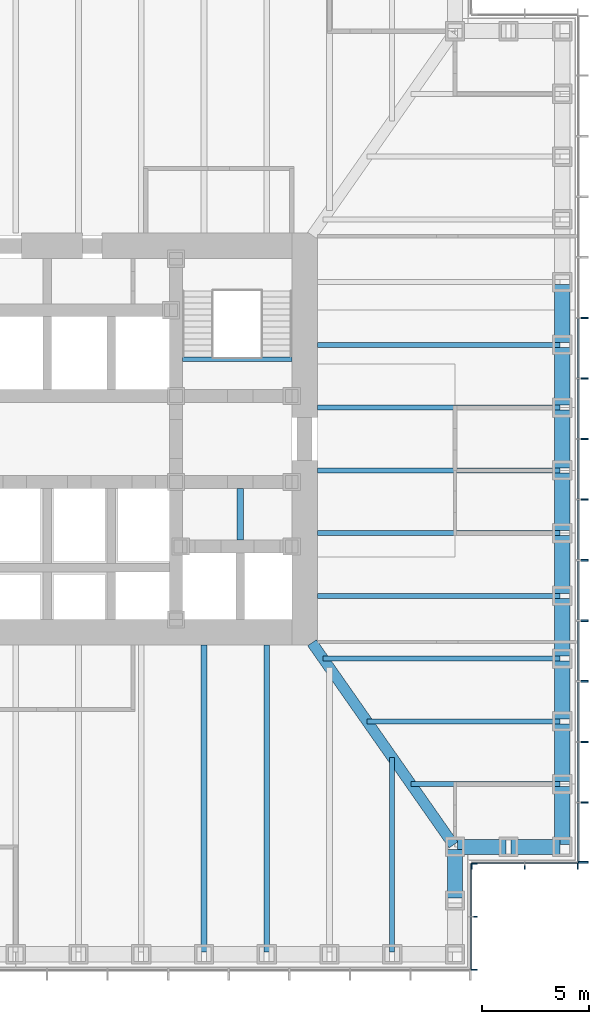
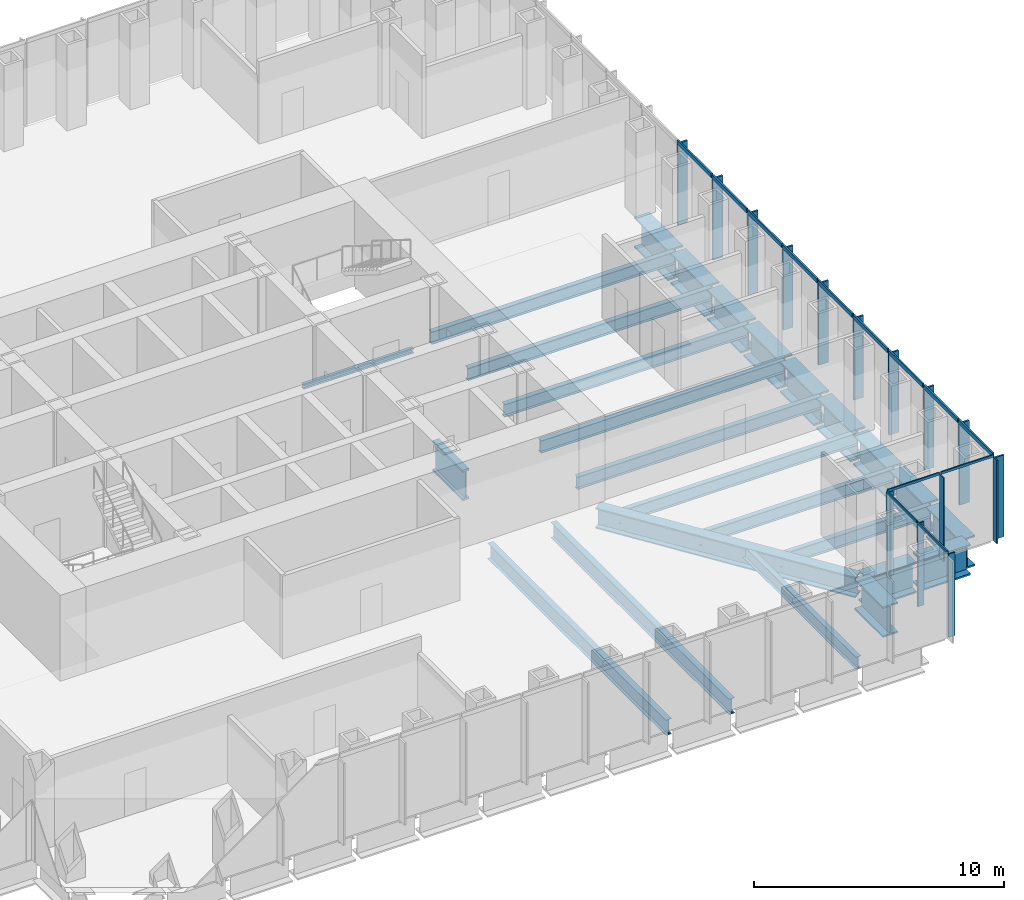
# One storey, part 4 of 16: 29 members, 26 beams, 3 elements without a shape of their own.
"""IFC4 building model written with IfcOpenShell, lengths in metres."""

from ifc_helpers import new_model, si_unit, direction, frame, origin, origin_2d, place, context, subcontext, project, spatial, rectangle, i_section, extrude, material, material_profile, profile_set, type_object, element, aggregate, save


model = new_model("IFC4")

# Units and contexts
model_context = context("Model", 3, precision=1e-05, world=origin(), true_north=direction((0.0, 1.0)))
body_context = subcontext(model_context, "Body", "Model", "MODEL_VIEW")
ifc_project = project(units=[si_unit("LENGTHUNIT", "METRE"), si_unit("AREAUNIT", "SQUARE_METRE"), si_unit("VOLUMEUNIT", "CUBIC_METRE"), si_unit("PLANEANGLEUNIT", "RADIAN"), si_unit("MASSUNIT", "GRAM", prefix="KILO")], contexts=[model_context])

# Site, building, storey
site_placement = place(None, origin())
site = spatial("IfcSite", under=ifc_project, at=site_placement, CompositionType="ELEMENT")
building_placement = place(site_placement, origin())
building = spatial("IfcBuilding", under=site, at=building_placement, Name="Daluyong Arena Tower", CompositionType="ELEMENT")
storey_placement = place(building_placement, frame((0.0, 0.0, 68.5)))
storey = spatial("IfcBuildingStorey", under=building, at=storey_placement, Name="L14", CompositionType="ELEMENT", Elevation=68.5)

# Curtain wall, members
ifc_material_1 = material(Name="Bronze anodised aluminium and glass", Category="aluminium")
curtain_wall_type_1 = type_object("IfcCurtainWallType", Name="Curtain wall CW1", PredefinedType="USERDEFINED", material=ifc_material_1)
curtain_wall_1_placement = place(storey_placement, origin())
curtain_wall_1 = element("IfcCurtainWall", 1, at=curtain_wall_1_placement, inside=storey, type_object=curtain_wall_type_1, Name="curtain wall L14 E", ObjectType="UNITISED CURTAIN WALL", PredefinedType="USERDEFINED")
ifc_material_2 = material(Name="Bronze anodised aluminium fin", Category="aluminium")
ifc_material_profile_1 = material_profile(ifc_material_2, rectangle(XDim=0.449951171875, YDim=0.080078125, at=origin_2d()))
ifc_profile_set_1 = profile_set([ifc_material_profile_1], Name="Bronze anodised aluminium fin")
member_type_1 = type_object("IfcMemberType", Name="CW1 bronze fin 450x80", PredefinedType="MULLION", material=ifc_profile_set_1)
member_1_placement = place(storey_placement, frame((80.97509765625, 60.2900390625, 0.0), z_axis=(0.0, 0.0, 1.0), x_axis=(-1.0, 0.0, 0.0)))
member_1 = element("IfcMember", 2, at=member_1_placement, type_object=member_type_1, Name="curtain wall L14 E fin 1", PredefinedType="MULLION", context=body_context, shape_type="SweptSolid", body=[
    extrude(rectangle(XDim=0.449951171875, YDim=0.080078125, at=origin_2d()), origin(), (0.0, 0.0, 1.0), 4.0),
])
member_2_placement = place(storey_placement, frame((80.97509765625, 63.071533203125, 0.0), z_axis=(0.0, 0.0, 1.0), x_axis=(-1.0, 0.0, 0.0)))
member_2 = element("IfcMember", 3, at=member_2_placement, type_object=member_type_1, Name="curtain wall L14 E fin 2", PredefinedType="MULLION", context=body_context, shape_type="SweptSolid", body=[
    extrude(rectangle(XDim=0.449951171875, YDim=0.080078125, at=origin_2d()), origin(), (0.0, 0.0, 1.0), 4.0),
])
member_3_placement = place(storey_placement, frame((80.97509765625, 65.892822265625, 0.0), z_axis=(0.0, 0.0, 1.0), x_axis=(-1.0, 0.0, 0.0)))
member_3 = element("IfcMember", 4, at=member_3_placement, type_object=member_type_1, Name="curtain wall L14 E fin 3", PredefinedType="MULLION", context=body_context, shape_type="SweptSolid", body=[
    extrude(rectangle(XDim=0.449951171875, YDim=0.080078125, at=origin_2d()), origin(), (0.0, 0.0, 1.0), 4.0),
])
member_4_placement = place(storey_placement, frame((80.97509765625, 68.71435546875, 0.0), z_axis=(0.0, 0.0, 1.0), x_axis=(-1.0, 0.0, 0.0)))
member_4 = element("IfcMember", 5, at=member_4_placement, type_object=member_type_1, Name="curtain wall L14 E fin 4", PredefinedType="MULLION", context=body_context, shape_type="SweptSolid", body=[
    extrude(rectangle(XDim=0.449951171875, YDim=0.080078125, at=origin_2d()), origin(), (0.0, 0.0, 1.0), 4.0),
])
member_5_placement = place(storey_placement, frame((80.97509765625, 71.53564453125, 0.0), z_axis=(0.0, 0.0, 1.0), x_axis=(-1.0, 0.0, 0.0)))
member_5 = element("IfcMember", 6, at=member_5_placement, type_object=member_type_1, Name="curtain wall L14 E fin 5", PredefinedType="MULLION", context=body_context, shape_type="SweptSolid", body=[
    extrude(rectangle(XDim=0.449951171875, YDim=0.080078125, at=origin_2d()), origin(), (0.0, 0.0, 1.0), 4.0),
])
member_6_placement = place(storey_placement, frame((80.97509765625, 74.357177734375, 0.0), z_axis=(0.0, 0.0, 1.0), x_axis=(-1.0, 0.0, 0.0)))
member_6 = element("IfcMember", 7, at=member_6_placement, type_object=member_type_1, Name="curtain wall L14 E fin 6", PredefinedType="MULLION", context=body_context, shape_type="SweptSolid", body=[
    extrude(rectangle(XDim=0.449951171875, YDim=0.080078125, at=origin_2d()), origin(), (0.0, 0.0, 1.0), 4.0),
])
member_7_placement = place(storey_placement, frame((80.97509765625, 77.178466796875, 0.0), z_axis=(0.0, 0.0, 1.0), x_axis=(-1.0, 0.0, 0.0)))
member_7 = element("IfcMember", 8, at=member_7_placement, type_object=member_type_1, Name="curtain wall L14 E fin 7", PredefinedType="MULLION", context=body_context, shape_type="SweptSolid", body=[
    extrude(rectangle(XDim=0.449951171875, YDim=0.080078125, at=origin_2d()), origin(), (0.0, 0.0, 1.0), 4.0),
])
member_8_placement = place(storey_placement, frame((80.97509765625, 80.0, 0.0), z_axis=(0.0, 0.0, 1.0), x_axis=(-1.0, 0.0, 0.0)))
member_8 = element("IfcMember", 9, at=member_8_placement, type_object=member_type_1, Name="curtain wall L14 E fin 8", PredefinedType="MULLION", context=body_context, shape_type="SweptSolid", body=[
    extrude(rectangle(XDim=0.449951171875, YDim=0.080078125, at=origin_2d()), origin(), (0.0, 0.0, 1.0), 4.0),
])
member_9_placement = place(storey_placement, frame((80.97509765625, 82.821533203125, 0.0), z_axis=(0.0, 0.0, 1.0), x_axis=(-1.0, 0.0, 0.0)))
member_9 = element("IfcMember", 10, at=member_9_placement, type_object=member_type_1, Name="curtain wall L14 E fin 9", PredefinedType="MULLION", context=body_context, shape_type="SweptSolid", body=[
    extrude(rectangle(XDim=0.449951171875, YDim=0.080078125, at=origin_2d()), origin(), (0.0, 0.0, 1.0), 4.0),
])
member_10_placement = place(storey_placement, frame((80.97509765625, 85.642822265625, 0.0), z_axis=(0.0, 0.0, 1.0), x_axis=(-1.0, 0.0, 0.0)))
member_10 = element("IfcMember", 11, at=member_10_placement, type_object=member_type_1, Name="curtain wall L14 E fin 10", PredefinedType="MULLION", context=body_context, shape_type="SweptSolid", body=[
    extrude(rectangle(XDim=0.449951171875, YDim=0.080078125, at=origin_2d()), origin(), (0.0, 0.0, 1.0), 4.0),
])
ifc_material_3 = material(Name="Bronze anodised aluminium", Category="aluminium")
ifc_material_profile_2 = material_profile(ifc_material_3, rectangle(XDim=0.080078125, YDim=0.199951171875, at=origin_2d()))
ifc_profile_set_2 = profile_set([ifc_material_profile_2], Name="Bronze anodised aluminium")
member_type_2 = type_object("IfcMemberType", Name="CW1 stack transom 200x80", PredefinedType="USERDEFINED", material=ifc_profile_set_2)
member_11_placement = place(storey_placement, frame((80.75, 60.330078125, 4.10009765625), z_axis=(0.0, 1.0, 0.0), x_axis=(-1.0, 0.0, 0.0)))
member_11 = element("IfcMember", 12, at=member_11_placement, type_object=member_type_2, Name="curtain wall L14 E transom 1", ObjectType="TRANSOM", PredefinedType="USERDEFINED", context=body_context, shape_type="SweptSolid", body=[
    extrude(rectangle(XDim=0.080078125, YDim=0.199951171875, at=origin_2d()), origin(), (0.0, 0.0, 1.0), 2.701416015625),
])
member_12_placement = place(storey_placement, frame((80.75, 63.111328125, 4.10009765625), z_axis=(0.0, 1.0, 0.0), x_axis=(-1.0, 0.0, 0.0)))
member_12 = element("IfcMember", 13, at=member_12_placement, type_object=member_type_2, Name="curtain wall L14 E transom 2", ObjectType="TRANSOM", PredefinedType="USERDEFINED", context=body_context, shape_type="SweptSolid", body=[
    extrude(rectangle(XDim=0.080078125, YDim=0.199951171875, at=origin_2d()), origin(), (0.0, 0.0, 1.0), 2.741455078125),
])
member_13_placement = place(storey_placement, frame((80.75, 65.932861328125, 4.10009765625), z_axis=(0.0, 1.0, 0.0), x_axis=(-1.0, 0.0, 0.0)))
member_13 = element("IfcMember", 14, at=member_13_placement, type_object=member_type_2, Name="curtain wall L14 E transom 3", ObjectType="TRANSOM", PredefinedType="USERDEFINED", context=body_context, shape_type="SweptSolid", body=[
    extrude(rectangle(XDim=0.080078125, YDim=0.199951171875, at=origin_2d()), origin(), (0.0, 0.0, 1.0), 2.741455078125),
])
member_14_placement = place(storey_placement, frame((80.75, 68.75439453125, 4.10009765625), z_axis=(0.0, 1.0, 0.0), x_axis=(-1.0, 0.0, 0.0)))
member_14 = element("IfcMember", 15, at=member_14_placement, type_object=member_type_2, Name="curtain wall L14 E transom 4", ObjectType="TRANSOM", PredefinedType="USERDEFINED", context=body_context, shape_type="SweptSolid", body=[
    extrude(rectangle(XDim=0.080078125, YDim=0.199951171875, at=origin_2d()), origin(), (0.0, 0.0, 1.0), 2.7412109375),
])
member_15_placement = place(storey_placement, frame((80.75, 71.57568359375, 4.10009765625), z_axis=(0.0, 1.0, 0.0), x_axis=(-1.0, 0.0, 0.0)))
member_15 = element("IfcMember", 16, at=member_15_placement, type_object=member_type_2, Name="curtain wall L14 E transom 5", ObjectType="TRANSOM", PredefinedType="USERDEFINED", context=body_context, shape_type="SweptSolid", body=[
    extrude(rectangle(XDim=0.080078125, YDim=0.199951171875, at=origin_2d()), origin(), (0.0, 0.0, 1.0), 2.741455078125),
])
member_16_placement = place(storey_placement, frame((80.75, 74.397216796875, 4.10009765625), z_axis=(0.0, 1.0, 0.0), x_axis=(-1.0, 0.0, 0.0)))
member_16 = element("IfcMember", 17, at=member_16_placement, type_object=member_type_2, Name="curtain wall L14 E transom 6", ObjectType="TRANSOM", PredefinedType="USERDEFINED", context=body_context, shape_type="SweptSolid", body=[
    extrude(rectangle(XDim=0.080078125, YDim=0.199951171875, at=origin_2d()), origin(), (0.0, 0.0, 1.0), 2.741455078125),
])
member_17_placement = place(storey_placement, frame((80.75, 77.218505859375, 4.10009765625), z_axis=(0.0, 1.0, 0.0), x_axis=(-1.0, 0.0, 0.0)))
member_17 = element("IfcMember", 18, at=member_17_placement, type_object=member_type_2, Name="curtain wall L14 E transom 7", ObjectType="TRANSOM", PredefinedType="USERDEFINED", context=body_context, shape_type="SweptSolid", body=[
    extrude(rectangle(XDim=0.080078125, YDim=0.199951171875, at=origin_2d()), origin(), (0.0, 0.0, 1.0), 2.741455078125),
])
member_18_placement = place(storey_placement, frame((80.75, 80.0400390625, 4.10009765625), z_axis=(0.0, 1.0, 0.0), x_axis=(-1.0, 0.0, 0.0)))
member_18 = element("IfcMember", 19, at=member_18_placement, type_object=member_type_2, Name="curtain wall L14 E transom 8", ObjectType="TRANSOM", PredefinedType="USERDEFINED", context=body_context, shape_type="SweptSolid", body=[
    extrude(rectangle(XDim=0.080078125, YDim=0.199951171875, at=origin_2d()), origin(), (0.0, 0.0, 1.0), 2.741455078125),
])
member_19_placement = place(storey_placement, frame((80.75, 82.861328125, 4.10009765625), z_axis=(0.0, 1.0, 0.0), x_axis=(-1.0, 0.0, 0.0)))
member_19 = element("IfcMember", 20, at=member_19_placement, type_object=member_type_2, Name="curtain wall L14 E transom 9", ObjectType="TRANSOM", PredefinedType="USERDEFINED", context=body_context, shape_type="SweptSolid", body=[
    extrude(rectangle(XDim=0.080078125, YDim=0.199951171875, at=origin_2d()), origin(), (0.0, 0.0, 1.0), 2.741455078125),
])
aggregate(curtain_wall_1, [member_1, member_2, member_3, member_4, member_5, member_6, member_7, member_8, member_9, member_10, member_11, member_12, member_13, member_14, member_15, member_16, member_17, member_18, member_19])

ifc_material_4 = material(Name="Bronze anodised aluminium and glass", Category="aluminium")
curtain_wall_type_2 = type_object("IfcCurtainWallType", Name="Curtain wall CW7", PredefinedType="USERDEFINED", material=ifc_material_4)
curtain_wall_2_placement = place(storey_placement, origin())
curtain_wall_2 = element("IfcCurtainWall", 21, at=curtain_wall_2_placement, inside=storey, type_object=curtain_wall_type_2, Name="curtain wall L14 SE-E", ObjectType="UNITISED CURTAIN WALL", PredefinedType="USERDEFINED")
ifc_material_5 = material(Name="Bronze anodised aluminium fin", Category="aluminium")
ifc_material_profile_3 = material_profile(ifc_material_5, rectangle(XDim=0.300048828125, YDim=0.06005859375, at=origin_2d()))
ifc_profile_set_3 = profile_set([ifc_material_profile_3], Name="Bronze anodised aluminium fin")
member_type_3 = type_object("IfcMemberType", Name="CW7 bronze fin 300x60", PredefinedType="MULLION", material=ifc_profile_set_3)
member_20_placement = place(storey_placement, frame((75.89990234375, 55.280029296875, 0.0), z_axis=(0.0, 0.0, 1.0), x_axis=(-1.0, 0.0, 0.0)))
member_20 = element("IfcMember", 22, at=member_20_placement, type_object=member_type_3, Name="curtain wall L14 SE-E fin 1", PredefinedType="MULLION", context=body_context, shape_type="SweptSolid", body=[
    extrude(rectangle(XDim=0.300048828125, YDim=0.06005859375, at=origin_2d()), origin(), (0.0, 0.0, 1.0), 4.080078125),
])
member_21_placement = place(storey_placement, frame((75.89990234375, 57.75, 0.0), z_axis=(0.0, 0.0, 1.0), x_axis=(-1.0, 0.0, 0.0)))
member_21 = element("IfcMember", 23, at=member_21_placement, type_object=member_type_3, Name="curtain wall L14 SE-E fin 2", PredefinedType="MULLION", context=body_context, shape_type="SweptSolid", body=[
    extrude(rectangle(XDim=0.300048828125, YDim=0.06005859375, at=origin_2d()), origin(), (0.0, 0.0, 1.0), 4.080078125),
])
member_22_placement = place(storey_placement, frame((75.89990234375, 60.219970703125, 0.0), z_axis=(0.0, 0.0, 1.0), x_axis=(-1.0, 0.0, 0.0)))
member_22 = element("IfcMember", 24, at=member_22_placement, type_object=member_type_3, Name="curtain wall L14 SE-E fin 3", PredefinedType="MULLION", context=body_context, shape_type="SweptSolid", body=[
    extrude(rectangle(XDim=0.300048828125, YDim=0.06005859375, at=origin_2d()), origin(), (0.0, 0.0, 1.0), 4.080078125),
])

curtain_wall_3_placement = place(storey_placement, origin())
curtain_wall_3 = element("IfcCurtainWall", 25, at=curtain_wall_3_placement, inside=storey, type_object=curtain_wall_type_2, Name="curtain wall L14 SE-S", ObjectType="UNITISED CURTAIN WALL", PredefinedType="USERDEFINED")
member_23_placement = place(storey_placement, frame((75.780029296875, 60.10009765625, 0.0), z_axis=(0.0, 0.0, 1.0), x_axis=(0.0, 1.0, 0.0)))
member_23 = element("IfcMember", 26, at=member_23_placement, type_object=member_type_3, Name="curtain wall L14 SE-S fin 1", PredefinedType="MULLION", context=body_context, shape_type="SweptSolid", body=[
    extrude(rectangle(XDim=0.300048828125, YDim=0.06005859375, at=origin_2d()), origin(), (0.0, 0.0, 1.0), 4.080078125),
])
member_24_placement = place(storey_placement, frame((78.25, 60.10009765625, 0.0), z_axis=(0.0, 0.0, 1.0), x_axis=(0.0, 1.0, 0.0)))
member_24 = element("IfcMember", 27, at=member_24_placement, type_object=member_type_3, Name="curtain wall L14 SE-S fin 2", PredefinedType="MULLION", context=body_context, shape_type="SweptSolid", body=[
    extrude(rectangle(XDim=0.300048828125, YDim=0.06005859375, at=origin_2d()), origin(), (0.0, 0.0, 1.0), 4.080078125),
])
member_25_placement = place(storey_placement, frame((80.719970703125, 60.10009765625, 0.0), z_axis=(0.0, 0.0, 1.0), x_axis=(0.0, 1.0, 0.0)))
member_25 = element("IfcMember", 28, at=member_25_placement, type_object=member_type_3, Name="curtain wall L14 SE-S fin 3", PredefinedType="MULLION", context=body_context, shape_type="SweptSolid", body=[
    extrude(rectangle(XDim=0.300048828125, YDim=0.06005859375, at=origin_2d()), origin(), (0.0, 0.0, 1.0), 4.080078125),
])

# Member
ifc_material_6 = material(Name="Bronze anodised aluminium", Category="aluminium")
ifc_material_profile_4 = material_profile(ifc_material_6, rectangle(XDim=0.06005859375, YDim=0.1201171875, at=origin_2d()))
ifc_profile_set_4 = profile_set([ifc_material_profile_4], Name="Bronze anodised aluminium")
member_type_4 = type_object("IfcMemberType", Name="CW7 stack transom 120x60", PredefinedType="USERDEFINED", material=ifc_profile_set_4)
member_26_placement = place(storey_placement, frame((75.75, 55.31005859375, 4.139892578125), z_axis=(0.0, 1.0, 0.0), x_axis=(-1.0, 0.0, 0.0)))
member_26 = element("IfcMember", 29, at=member_26_placement, type_object=member_type_4, Name="curtain wall L14 SE-E transom 1", ObjectType="TRANSOM", PredefinedType="USERDEFINED", context=body_context, shape_type="SweptSolid", body=[
    extrude(rectangle(XDim=0.06005859375, YDim=0.1201171875, at=origin_2d()), origin(), (0.0, 0.0, 1.0), 2.409912109375),
])

member_27_placement = place(storey_placement, frame((75.75, 57.780029296875, 4.139892578125), z_axis=(0.0, 1.0, 0.0), x_axis=(-1.0, 0.0, 0.0)))
member_27 = element("IfcMember", 30, at=member_27_placement, type_object=member_type_4, Name="curtain wall L14 SE-E transom 2", ObjectType="TRANSOM", PredefinedType="USERDEFINED", context=body_context, shape_type="SweptSolid", body=[
    extrude(rectangle(XDim=0.06005859375, YDim=0.1201171875, at=origin_2d()), origin(), (0.0, 0.0, 1.0), 2.409912109375),
])

aggregate(curtain_wall_2, [member_20, member_21, member_22, member_26, member_27])

member_28_placement = place(storey_placement, frame((75.81005859375, 60.25, 4.139892578125), z_axis=(1.0, 0.0, 0.0), x_axis=(0.0, 1.0, 0.0)))
member_28 = element("IfcMember", 31, at=member_28_placement, type_object=member_type_4, Name="curtain wall L14 SE-S transom 1", ObjectType="TRANSOM", PredefinedType="USERDEFINED", context=body_context, shape_type="SweptSolid", body=[
    extrude(rectangle(XDim=0.06005859375, YDim=0.1201171875, at=origin_2d()), origin(), (0.0, 0.0, 1.0), 2.409912109375),
])

member_29_placement = place(storey_placement, frame((78.280029296875, 60.25, 4.139892578125), z_axis=(1.0, 0.0, 0.0), x_axis=(0.0, 1.0, 0.0)))
member_29 = element("IfcMember", 32, at=member_29_placement, type_object=member_type_4, Name="curtain wall L14 SE-S transom 2", ObjectType="TRANSOM", PredefinedType="USERDEFINED", context=body_context, shape_type="SweptSolid", body=[
    extrude(rectangle(XDim=0.06005859375, YDim=0.1201171875, at=origin_2d()), origin(), (0.0, 0.0, 1.0), 2.409912109375),
])

aggregate(curtain_wall_3, [member_23, member_24, member_25, member_28, member_29])

# Beams
ifc_material_7 = material(Name="Steel ASTM A572 Grade 50", Category="steel")
ifc_material_profile_5 = material_profile(ifc_material_7, i_section(OverallWidth=0.5, OverallDepth=1.0, WebThickness=0.03, FlangeThickness=0.06, at=origin_2d()))
ifc_profile_set_5 = profile_set([ifc_material_profile_5], Name="Steel ASTM A572 Grade 50")
beam_type_1 = type_object("IfcBeamType", Name="Corner girder TB1000X500", PredefinedType="BEAM", material=ifc_profile_set_5)
beam_1_placement = place(storey_placement, frame((74.93408203125, 61.09423828125, -0.659912109375), z_axis=(-0.573466621875, 0.819228926244, 0.0), x_axis=(-0.819228926244, -0.573466621875, 0.0)))
element("IfcBeam", 33, at=beam_1_placement, inside=storey, type_object=beam_type_1, Name="corner girder DG2", PredefinedType="BEAM", context=body_context, shape_type="SweptSolid", body=[
    extrude(i_section(OverallWidth=0.5, OverallDepth=1.0, WebThickness=0.03, FlangeThickness=0.06, at=origin_2d()), origin(), (0.0, 0.0, 1.0), 11.49169921875),
])
ifc_material_8 = material(Name="Steel ASTM A992 Grade 50", Category="steel")
ifc_material_profile_6 = material_profile(ifc_material_8, i_section(OverallWidth=0.22900390625, OverallDepth=0.612060546875, WebThickness=0.011962890625, FlangeThickness=0.01953125, at=origin_2d()))
ifc_profile_set_6 = profile_set([ifc_material_profile_6], Name="Steel ASTM A992 Grade 50")
beam_type_2 = type_object("IfcBeamType", Name="Floor beam W24X84", PredefinedType="BEAM", material=ifc_profile_set_6)
beam_2_placement = place(storey_placement, frame((72.076904296875, 56.114990234375, -0.466064453125), z_axis=(0.0, 1.0, 0.0), x_axis=(-1.0, 0.0, 0.0)))
element("IfcBeam", 34, at=beam_2_placement, inside=storey, type_object=beam_type_2, Name="floor beam FB3", PredefinedType="BEAM", context=body_context, shape_type="SweptSolid", body=[
    extrude(i_section(OverallWidth=0.22900390625, OverallDepth=0.612060546875, WebThickness=0.011962890625, FlangeThickness=0.01953125, at=origin_2d()), origin(), (0.0, 0.0, 1.0), 9.060791015625),
])
beam_3_placement = place(storey_placement, frame((79.885009765625, 63.923095703125, -0.466064453125), z_axis=(-1.0, 0.0, 0.0), x_axis=(0.0, -1.0, 0.0)))
element("IfcBeam", 35, at=beam_3_placement, inside=storey, type_object=beam_type_2, Name="floor beam FB3", PredefinedType="BEAM", context=body_context, shape_type="SweptSolid", body=[
    extrude(i_section(OverallWidth=0.22900390625, OverallDepth=0.612060546875, WebThickness=0.011962890625, FlangeThickness=0.01953125, at=origin_2d()), origin(), (0.0, 0.0, 1.0), 6.93115234375),
])
beam_4_placement = place(storey_placement, frame((79.885009765625, 66.84619140625, -0.466064453125), z_axis=(-1.0, 0.0, 0.0), x_axis=(0.0, -1.0, 0.0)))
element("IfcBeam", 36, at=beam_4_placement, inside=storey, type_object=beam_type_2, Name="floor beam FB3", PredefinedType="BEAM", context=body_context, shape_type="SweptSolid", body=[
    extrude(i_section(OverallWidth=0.22900390625, OverallDepth=0.612060546875, WebThickness=0.011962890625, FlangeThickness=0.01953125, at=origin_2d()), origin(), (0.0, 0.0, 1.0), 8.977294921875),
])
beam_5_placement = place(storey_placement, frame((79.885009765625, 69.769287109375, -0.466064453125), z_axis=(-1.0, 0.0, 0.0), x_axis=(0.0, -1.0, 0.0)))
element("IfcBeam", 37, at=beam_5_placement, inside=storey, type_object=beam_type_2, Name="floor beam FB3", PredefinedType="BEAM", context=body_context, shape_type="SweptSolid", body=[
    extrude(i_section(OverallWidth=0.22900390625, OverallDepth=0.612060546875, WebThickness=0.011962890625, FlangeThickness=0.01953125, at=origin_2d()), origin(), (0.0, 0.0, 1.0), 11.0234375),
])
for number, where, z_axis, x_axis, name in (
    (38, (79.885009765625, 72.6923828125, -0.466064453125), (-1.0, 0.0, 0.0), (0.0, -1.0, 0.0), "floor beam FB3"),
    (39, (79.885009765625, 75.615478515625, -0.466064453125), (-1.0, 0.0, 0.0), (0.0, -1.0, 0.0), "floor beam FB3"),
    (40, (79.885009765625, 78.53857421875, -0.466064453125), (-1.0, 0.0, 0.0), (0.0, -1.0, 0.0), "floor beam FB3"),
    (41, (79.885009765625, 81.46142578125, -0.466064453125), (-1.0, 0.0, 0.0), (0.0, -1.0, 0.0), "floor beam FB3"),
    (42, (79.885009765625, 84.384521484375, -0.466064453125), (-1.0, 0.0, 0.0), (0.0, -1.0, 0.0), "floor beam FB3"),
):
    element("IfcBeam", number, at=place(storey_placement, frame(where, z_axis=z_axis, x_axis=x_axis)), inside=storey, type_object=beam_type_2, Name=name, PredefinedType="BEAM", context=body_context, shape_type="SweptSolid", body=[
        extrude(i_section(OverallWidth=0.22900390625, OverallDepth=0.612060546875, WebThickness=0.011962890625, FlangeThickness=0.01953125, at=origin_2d()), origin(), (0.0, 0.0, 1.0), 11.284912109375),
    ])
ifc_material_9 = material(Name="Steel ASTM A992 Grade 50", Category="steel")
ifc_material_profile_7 = material_profile(ifc_material_9, i_section(OverallWidth=0.2666015625, OverallDepth=0.761962890625, WebThickness=0.014404296875, FlangeThickness=0.021484375, at=origin_2d()))
ifc_profile_set_7 = profile_set([ifc_material_profile_7], Name="Steel ASTM A992 Grade 50")
beam_type_3 = type_object("IfcBeamType", Name="Floor beam W30X116", PredefinedType="BEAM", material=ifc_profile_set_7)
for number, where, z_axis, x_axis, name in (
    (43, (63.3076171875, 56.114990234375, -0.541015625), (0.0, 1.0, 0.0), (-1.0, 0.0, 0.0), "floor beam FB4"),
    (44, (66.230712890625, 56.114990234375, -0.541015625), (0.0, 1.0, 0.0), (-1.0, 0.0, 0.0), "floor beam FB4"),
):
    element("IfcBeam", number, at=place(storey_placement, frame(where, z_axis=z_axis, x_axis=x_axis)), inside=storey, type_object=beam_type_3, Name=name, PredefinedType="BEAM", context=body_context, shape_type="SweptSolid", body=[
        extrude(i_section(OverallWidth=0.2666015625, OverallDepth=0.761962890625, WebThickness=0.014404296875, FlangeThickness=0.021484375, at=origin_2d()), origin(), (0.0, 0.0, 1.0), 14.284912109375),
    ])
ifc_material_10 = material(Name="Steel ASTM A572 Grade 50", Category="steel")
ifc_material_profile_8 = material_profile(ifc_material_10, i_section(OverallWidth=0.300048828125, OverallDepth=1.5, WebThickness=0.04, FlangeThickness=0.1, at=origin_2d()))
ifc_profile_set_8 = profile_set([ifc_material_profile_8], Name="Steel ASTM A572 Grade 50")
beam_type_4 = type_object("IfcBeamType", Name="Lift divider beam PG1500X300", PredefinedType="BEAM", material=ifc_profile_set_8)
beam_6_placement = place(storey_placement, frame((65.0, 75.300048828125, -0.909912109375), z_axis=(0.0, 1.0, 0.0), x_axis=(-1.0, 0.0, 0.0)))
element("IfcBeam", 45, at=beam_6_placement, inside=storey, type_object=beam_type_4, Name="lift divider beam DB2", PredefinedType="BEAM", context=body_context, shape_type="SweptSolid", body=[
    extrude(i_section(OverallWidth=0.300048828125, OverallDepth=1.5, WebThickness=0.04, FlangeThickness=0.1, at=origin_2d()), origin(), (0.0, 0.0, 1.0), 2.39990234375),
])
ifc_material_11 = material(Name="Steel ASTM A572 Grade 50", Category="steel")
ifc_material_profile_9 = material_profile(ifc_material_11, i_section(OverallWidth=0.699951171875, OverallDepth=1.5, WebThickness=0.04, FlangeThickness=0.08, at=origin_2d()))
ifc_profile_set_9 = profile_set([ifc_material_profile_9], Name="Steel ASTM A572 Grade 50")
beam_type_5 = type_object("IfcBeamType", Name="Spandrel Z1 PG1500X700", PredefinedType="SPANDREL", material=ifc_profile_set_9)
for number, where, z_axis, x_axis, name in (
    (46, (75.0, 58.614990234375, -0.909912109375), (0.0, 1.0, 0.0), (-1.0, 0.0, 0.0), "spandrel z1 SB4"),
    (47, (75.114990234375, 61.0, -0.909912109375), (1.0, 0.0, 0.0), (0.0, 1.0, 0.0), "spandrel z1 SB4"),
    (48, (77.614990234375, 61.0, -0.909912109375), (1.0, 0.0, 0.0), (0.0, 1.0, 0.0), "spandrel z1 SB4"),
):
    element("IfcBeam", number, at=place(storey_placement, frame(where, z_axis=z_axis, x_axis=x_axis)), inside=storey, type_object=beam_type_5, Name=name, PredefinedType="SPANDREL", context=body_context, shape_type="SweptSolid", body=[
        extrude(i_section(OverallWidth=0.699951171875, OverallDepth=1.5, WebThickness=0.04, FlangeThickness=0.08, at=origin_2d()), origin(), (0.0, 0.0, 1.0), 2.27001953125),
    ])
for number, where, z_axis, x_axis, name in (
    (49, (80.0, 61.114990234375, -0.909912109375), (0.0, 1.0, 0.0), (-1.0, 0.0, 0.0), "spandrel z1 SB4"),
    (50, (80.0, 64.0380859375, -0.909912109375), (0.0, 1.0, 0.0), (-1.0, 0.0, 0.0), "spandrel z1 SB4"),
    (51, (80.0, 66.961181640625, -0.909912109375), (0.0, 1.0, 0.0), (-1.0, 0.0, 0.0), "spandrel z1 SB4"),
    (52, (80.0, 69.88427734375, -0.909912109375), (0.0, 1.0, 0.0), (-1.0, 0.0, 0.0), "spandrel z1 SB4"),
    (53, (80.0, 72.807373046875, -0.909912109375), (0.0, 1.0, 0.0), (-1.0, 0.0, 0.0), "spandrel z1 SB4"),
    (54, (80.0, 75.73046875, -0.909912109375), (0.0, 1.0, 0.0), (-1.0, 0.0, 0.0), "spandrel z1 SB4"),
):
    element("IfcBeam", number, at=place(storey_placement, frame(where, z_axis=z_axis, x_axis=x_axis)), inside=storey, type_object=beam_type_5, Name=name, PredefinedType="SPANDREL", context=body_context, shape_type="SweptSolid", body=[
        extrude(i_section(OverallWidth=0.699951171875, OverallDepth=1.5, WebThickness=0.04, FlangeThickness=0.08, at=origin_2d()), origin(), (0.0, 0.0, 1.0), 2.693115234375),
    ])
beam_7_placement = place(storey_placement, frame((80.0, 78.653564453125, -0.909912109375), z_axis=(0.0, 1.0, 0.0), x_axis=(-1.0, 0.0, 0.0)))
element("IfcBeam", 55, at=beam_7_placement, inside=storey, type_object=beam_type_5, Name="spandrel z1 SB4", PredefinedType="SPANDREL", context=body_context, shape_type="SweptSolid", body=[
    extrude(i_section(OverallWidth=0.699951171875, OverallDepth=1.5, WebThickness=0.04, FlangeThickness=0.08, at=origin_2d()), origin(), (0.0, 0.0, 1.0), 2.69287109375),
])
for number, where, z_axis, x_axis, name in (
    (56, (80.0, 81.576416015625, -0.909912109375), (0.0, 1.0, 0.0), (-1.0, 0.0, 0.0), "spandrel z1 SB4"),
    (57, (80.0, 84.49951171875, -0.909912109375), (0.0, 1.0, 0.0), (-1.0, 0.0, 0.0), "spandrel z1 SB4"),
):
    element("IfcBeam", number, at=place(storey_placement, frame(where, z_axis=z_axis, x_axis=x_axis)), inside=storey, type_object=beam_type_5, Name=name, PredefinedType="SPANDREL", context=body_context, shape_type="SweptSolid", body=[
        extrude(i_section(OverallWidth=0.699951171875, OverallDepth=1.5, WebThickness=0.04, FlangeThickness=0.08, at=origin_2d()), origin(), (0.0, 0.0, 1.0), 2.693115234375),
    ])
ifc_material_12 = material(Name="Steel ASTM A992 Grade 50", Category="steel")
ifc_material_profile_10 = material_profile(ifc_material_12, i_section(OverallWidth=0.203125, OverallDepth=0.203125, WebThickness=0.00732421875, FlangeThickness=0.010986328125, at=origin_2d()))
ifc_profile_set_10 = profile_set([ifc_material_profile_10], Name="Steel ASTM A992 Grade 50")
beam_type_6 = type_object("IfcBeamType", Name="Stair landing beam W8X31", PredefinedType="BEAM", material=ifc_profile_set_10)
beam_8_placement = place(storey_placement, frame((62.300048828125, 83.723388671875, -0.26171875), z_axis=(1.0, 0.0, 0.0), x_axis=(0.0, 1.0, 0.0)))
element("IfcBeam", 58, at=beam_8_placement, inside=storey, type_object=beam_type_6, Name="exit stair B landing beam", PredefinedType="BEAM", context=body_context, shape_type="SweptSolid", body=[
    extrude(i_section(OverallWidth=0.203125, OverallDepth=0.203125, WebThickness=0.00732421875, FlangeThickness=0.010986328125, at=origin_2d()), origin(), (0.0, 0.0, 1.0), 5.099853515625),
])

save(model, "model.ifc")
